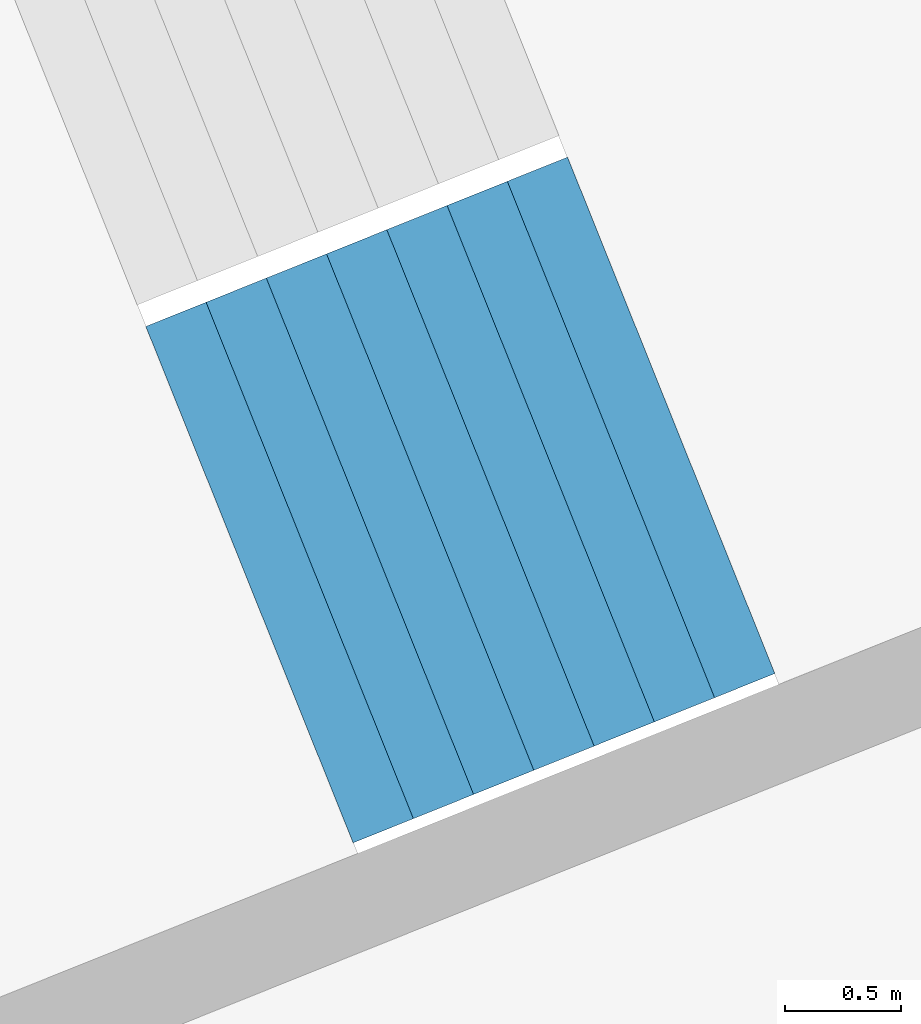
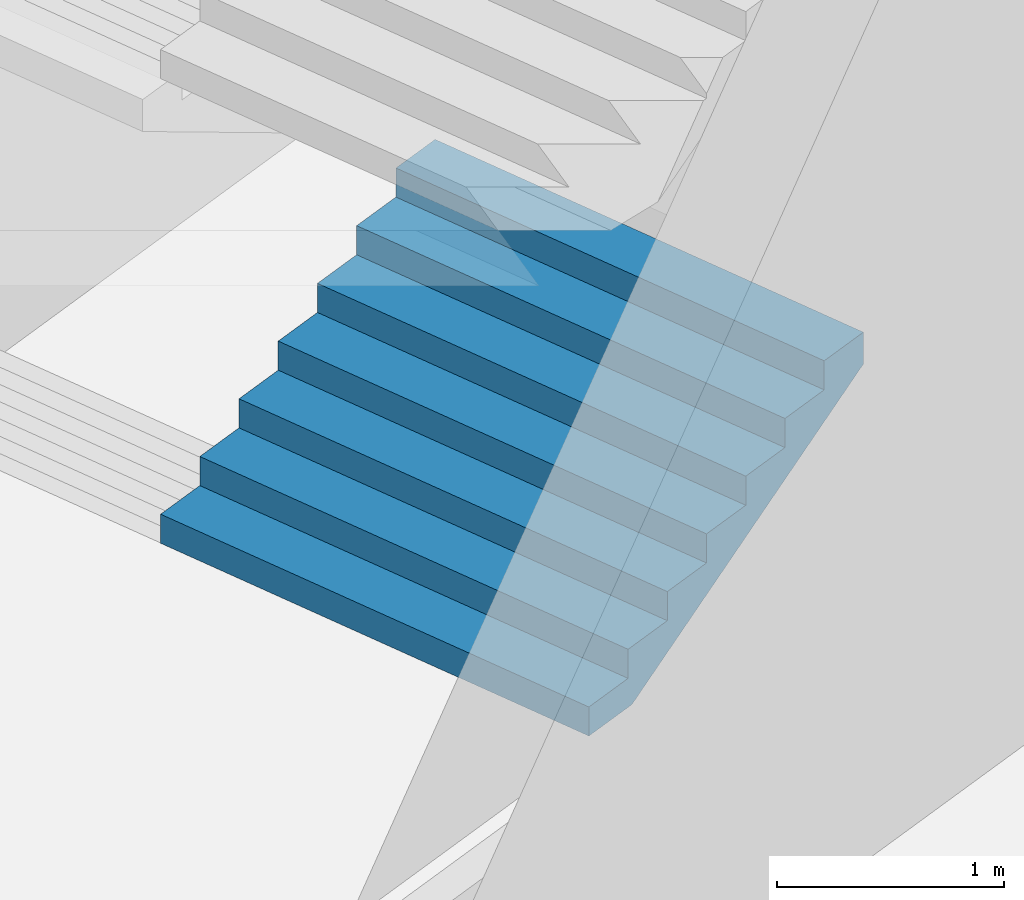
# One storey, part 19 of 73: 1 stair flight, 1 element without a shape of its own.
"""IFC4 building model written with IfcOpenShell, lengths in metres."""

from ifc_helpers import new_model, si_unit, direction, frame, origin, place, context, subcontext, project, spatial, triangles, material, type_object, element, aggregate, save


model = new_model("IFC4")

# Units and contexts
model_context = context("Model", 3, precision=1e-05, world=origin(), true_north=direction((0.0, 1.0)))
body_context = subcontext(model_context, "Body", "Model", "MODEL_VIEW")
ifc_project = project(units=[si_unit("LENGTHUNIT", "METRE"), si_unit("AREAUNIT", "SQUARE_METRE"), si_unit("VOLUMEUNIT", "CUBIC_METRE"), si_unit("PLANEANGLEUNIT", "RADIAN"), si_unit("MASSUNIT", "GRAM", prefix="KILO")], contexts=[model_context])

# Site, building, storey
site_placement = place(None, origin())
site = spatial("IfcSite", under=ifc_project, at=site_placement, CompositionType="ELEMENT")
building_placement = place(site_placement, origin())
building = spatial("IfcBuilding", under=site, at=building_placement, Name="Lantaw Convention Tower", CompositionType="ELEMENT")
storey_placement = place(building_placement, frame((0.0, 0.0, 22.0)))
storey = spatial("IfcBuildingStorey", under=building, at=storey_placement, Name="L03", CompositionType="ELEMENT", Elevation=22.0)

# Stair, stair flight
ifc_material = material(Name="Concrete C35/45", Category="concrete")
stair_type = type_object("IfcStairType", Name="Exit stair 2400 riser 156.25 in 4 flights", PredefinedType="HALF_TURN_STAIR", material=ifc_material)
stair_placement = place(storey_placement, origin())
stair = element("IfcStair", 1, at=stair_placement, inside=storey, type_object=stair_type, Name="Podium exit stair P11 L03", PredefinedType="HALF_TURN_STAIR")
stair_flight_type = type_object("IfcStairFlightType", Name="Stair flight 2400 riser 156.25", PredefinedType="STRAIGHT", material=ifc_material)
stair_flight_placement = place(storey_placement, frame((-30.9052734375, -13.753662109375, 1.25), z_axis=(0.0, 0.0, 1.0), x_axis=(0.928015168305, 0.372542410198, 0.0)))
stair_flight = element("IfcStairFlight", 2, at=stair_flight_placement, type_object=stair_flight_type, Name="P11 flight 2", NumberOfRisers=8, NumberOfTreads=7, PredefinedType="STRAIGHT", RiserHeight=0.15625, TreadLength=0.28, context=body_context, shape_type="Tessellation", body=[
    triangles([(0.0, 1.199951171875, 0.0), (0.0, 1.199951171875, 0.15625), (0.28, 1.199951171875, 0.0), (0.28, 1.199951171875, 0.15625), (0.28, 1.199951171875, 0.3125), (0.3076200632058044, 1.199951171875, 0.0), (0.3076200632058044, 1.199951171875, 0.3125), (0.56, 1.199951171875, 0.14083701830033238), (0.56, 1.199951171875, 0.3125), (0.56, 1.199951171875, 0.46875), (0.8400000000000001, 1.199951171875, 0.29708701830033235), (0.8400000000000001, 1.199951171875, 0.46875), (0.8400000000000001, 1.199951171875, 0.625), (1.12, 1.199951171875, 0.45333701830033235), (1.12, 1.199951171875, 0.625), (1.12, 1.199951171875, 0.78125), (1.4000000000000001, 1.199951171875, 0.6095870183003324), (1.4000000000000001, 1.199951171875, 0.78125), (1.4000000000000001, 1.199951171875, 0.9375), (1.6800000000000002, 1.199951171875, 0.7658370183003324), (1.6800000000000002, 1.199951171875, 0.9375), (1.6800000000000002, 1.199951171875, 1.09375), (1.9600000000000002, 1.199951171875, 0.9220870183003324), (1.9600000000000002, 1.199951171875, 1.09375), (0.0, -1.199951171875, 0.0), (0.0, -1.199951171875, 0.15625), (0.28, -1.199951171875, 0.0), (0.28, -1.199951171875, 0.15625), (0.28, -1.199951171875, 0.3125), (0.3076200632058044, -1.199951171875, 0.0), (0.3076200632058044, -1.199951171875, 0.3125), (0.56, -1.199951171875, 0.14083701830033238), (0.56, -1.199951171875, 0.3125), (0.56, -1.199951171875, 0.46875), (0.8400000000000001, -1.199951171875, 0.29708701830033235), (0.8400000000000001, -1.199951171875, 0.46875), (0.8400000000000001, -1.199951171875, 0.625), (1.12, -1.199951171875, 0.45333701830033235), (1.12, -1.199951171875, 0.625), (1.12, -1.199951171875, 0.78125), (1.4000000000000001, -1.199951171875, 0.6095870183003324), (1.4000000000000001, -1.199951171875, 0.78125), (1.4000000000000001, -1.199951171875, 0.9375), (1.6800000000000002, -1.199951171875, 0.7658370183003324), (1.6800000000000002, -1.199951171875, 0.9375), (1.6800000000000002, -1.199951171875, 1.09375), (1.9600000000000002, -1.199951171875, 0.9220870183003324), (1.9600000000000002, -1.199951171875, 1.09375), (0.0, 0.239990234375, 0.15625), (0.0, 0.239990234375, 0.0), (0.0, 0.1919921875, 0.15625), (0.0, 0.1919921875, 0.0), (0.0, 0.143994140625, 0.15625), (0.0, 0.143994140625, 0.0), (0.0, 0.09599609375, 0.15625), (0.0, 0.09599609375, 0.0), (0.0, 0.047998046875, 0.15625), (0.0, 0.047998046875, 0.0), (0.0, 0.0, 0.15625), (0.0, 0.0, 0.0), (0.0, -0.047998046875, 0.15625), (0.0, -0.047998046875, 0.0), (0.0, -0.09599609375, 0.15625), (0.0, -0.09599609375, 0.0), (0.0, -0.143994140625, 0.15625), (0.0, -0.143994140625, 0.0), (0.0, -0.1919921875, 0.15625), (0.0, -0.1919921875, 0.0), (0.0, -0.239990234375, 0.15625), (0.0, -0.239990234375, 0.0), (0.28, 0.239990234375, 0.3125), (0.28, 0.239990234375, 0.15625), (0.28, 0.1919921875, 0.3125), (0.28, 0.1919921875, 0.15625), (0.28, 0.143994140625, 0.3125), (0.28, 0.143994140625, 0.15625), (0.28, 0.09599609375, 0.3125), (0.28, 0.09599609375, 0.15625), (0.28, 0.047998046875, 0.3125), (0.28, 0.047998046875, 0.15625), (0.28, 0.0, 0.3125), (0.28, 0.0, 0.15625), (0.28, -0.047998046875, 0.3125), (0.28, -0.047998046875, 0.15625), (0.28, -0.09599609375, 0.3125), (0.28, -0.09599609375, 0.15625), (0.28, -0.143994140625, 0.3125), (0.28, -0.143994140625, 0.15625), (0.28, -0.1919921875, 0.3125), (0.28, -0.1919921875, 0.15625), (0.28, -0.239990234375, 0.3125), (0.28, -0.239990234375, 0.15625), (0.56, 0.239990234375, 0.46875), (0.56, 0.239990234375, 0.3125), (0.56, 0.1919921875, 0.46875), (0.56, 0.1919921875, 0.3125), (0.56, 0.143994140625, 0.46875), (0.56, 0.143994140625, 0.3125), (0.56, 0.09599609375, 0.46875), (0.56, 0.09599609375, 0.3125), (0.56, 0.047998046875, 0.46875), (0.56, 0.047998046875, 0.3125), (0.56, 0.0, 0.46875), (0.56, 0.0, 0.3125), (0.56, -0.047998046875, 0.46875), (0.56, -0.047998046875, 0.3125), (0.56, -0.09599609375, 0.46875), (0.56, -0.09599609375, 0.3125), (0.56, -0.143994140625, 0.46875), (0.56, -0.143994140625, 0.3125), (0.56, -0.1919921875, 0.46875), (0.56, -0.1919921875, 0.3125), (0.56, -0.239990234375, 0.46875), (0.56, -0.239990234375, 0.3125), (0.8400000000000001, 0.239990234375, 0.625), (0.8400000000000001, 0.239990234375, 0.46875), (0.8400000000000001, 0.1919921875, 0.625), (0.8400000000000001, 0.1919921875, 0.46875), (0.8400000000000001, 0.143994140625, 0.625), (0.8400000000000001, 0.143994140625, 0.46875), (0.8400000000000001, 0.09599609375, 0.625), (0.8400000000000001, 0.09599609375, 0.46875), (0.8400000000000001, 0.047998046875, 0.625), (0.8400000000000001, 0.047998046875, 0.46875), (0.8400000000000001, 0.0, 0.625), (0.8400000000000001, 0.0, 0.46875), (0.8400000000000001, -0.047998046875, 0.625), (0.8400000000000001, -0.047998046875, 0.46875), (0.8400000000000001, -0.09599609375, 0.625), (0.8400000000000001, -0.09599609375, 0.46875), (0.8400000000000001, -0.143994140625, 0.625), (0.8400000000000001, -0.143994140625, 0.46875), (0.8400000000000001, -0.1919921875, 0.625), (0.8400000000000001, -0.1919921875, 0.46875), (0.8400000000000001, -0.239990234375, 0.625), (0.8400000000000001, -0.239990234375, 0.46875), (1.12, 0.239990234375, 0.78125), (1.12, 0.239990234375, 0.625), (1.12, 0.1919921875, 0.78125), (1.12, 0.1919921875, 0.625), (1.12, 0.143994140625, 0.78125), (1.12, 0.143994140625, 0.625), (1.12, 0.09599609375, 0.78125), (1.12, 0.09599609375, 0.625), (1.12, 0.047998046875, 0.78125), (1.12, 0.047998046875, 0.625), (1.12, 0.0, 0.78125), (1.12, 0.0, 0.625), (1.12, -0.047998046875, 0.78125), (1.12, -0.047998046875, 0.625), (1.12, -0.09599609375, 0.78125), (1.12, -0.09599609375, 0.625), (1.12, -0.143994140625, 0.78125), (1.12, -0.143994140625, 0.625), (1.12, -0.1919921875, 0.78125), (1.12, -0.1919921875, 0.625), (1.12, -0.239990234375, 0.78125), (1.12, -0.239990234375, 0.625), (1.4000000000000001, 0.239990234375, 0.9375), (1.4000000000000001, 0.239990234375, 0.78125), (1.4000000000000001, 0.1919921875, 0.9375), (1.4000000000000001, 0.1919921875, 0.78125), (1.4000000000000001, 0.143994140625, 0.9375), (1.4000000000000001, 0.143994140625, 0.78125), (1.4000000000000001, 0.09599609375, 0.9375), (1.4000000000000001, 0.09599609375, 0.78125), (1.4000000000000001, 0.047998046875, 0.9375), (1.4000000000000001, 0.047998046875, 0.78125), (1.4000000000000001, 0.0, 0.9375), (1.4000000000000001, 0.0, 0.78125), (1.4000000000000001, -0.047998046875, 0.9375), (1.4000000000000001, -0.047998046875, 0.78125), (1.4000000000000001, -0.09599609375, 0.9375), (1.4000000000000001, -0.09599609375, 0.78125), (1.4000000000000001, -0.143994140625, 0.9375), (1.4000000000000001, -0.143994140625, 0.78125), (1.4000000000000001, -0.1919921875, 0.9375), (1.4000000000000001, -0.1919921875, 0.78125), (1.4000000000000001, -0.239990234375, 0.9375), (1.4000000000000001, -0.239990234375, 0.78125), (1.6800000000000002, 0.239990234375, 1.09375), (1.6800000000000002, 0.239990234375, 0.9375), (1.6800000000000002, 0.1919921875, 1.09375), (1.6800000000000002, 0.1919921875, 0.9375), (1.6800000000000002, 0.143994140625, 1.09375), (1.6800000000000002, 0.143994140625, 0.9375), (1.6800000000000002, 0.09599609375, 1.09375), (1.6800000000000002, 0.09599609375, 0.9375), (1.6800000000000002, 0.047998046875, 1.09375), (1.6800000000000002, 0.047998046875, 0.9375), (1.6800000000000002, 0.0, 1.09375), (1.6800000000000002, 0.0, 0.9375), (1.6800000000000002, -0.047998046875, 1.09375), (1.6800000000000002, -0.047998046875, 0.9375), (1.6800000000000002, -0.09599609375, 1.09375), (1.6800000000000002, -0.09599609375, 0.9375), (1.6800000000000002, -0.143994140625, 1.09375), (1.6800000000000002, -0.143994140625, 0.9375), (1.6800000000000002, -0.1919921875, 1.09375), (1.6800000000000002, -0.1919921875, 0.9375), (1.6800000000000002, -0.239990234375, 1.09375), (1.6800000000000002, -0.239990234375, 0.9375), (0.3076200632058044, 0.239990234375, 0.3125), (0.3076200632058044, 0.1919921875, 0.3125), (0.3076200632058044, 0.143994140625, 0.3125), (0.3076200632058044, 0.09599609375, 0.3125), (0.3076200632058044, 0.047998046875, 0.3125), (0.3076200632058044, 0.0, 0.3125), (0.3076200632058044, -0.047998046875, 0.3125), (0.3076200632058044, -0.09599609375, 0.3125), (0.3076200632058044, -0.143994140625, 0.3125), (0.3076200632058044, -0.1919921875, 0.3125), (0.3076200632058044, -0.239990234375, 0.3125), (1.9600000000000002, 0.239990234375, 1.09375), (1.9600000000000002, 0.1919921875, 1.09375), (1.9600000000000002, 0.143994140625, 1.09375), (1.9600000000000002, 0.09599609375, 1.09375), (1.9600000000000002, 0.047998046875, 1.09375), (1.9600000000000002, 0.0, 1.09375), (1.9600000000000002, -0.047998046875, 1.09375), (1.9600000000000002, -0.09599609375, 1.09375), (1.9600000000000002, -0.143994140625, 1.09375), (1.9600000000000002, -0.1919921875, 1.09375), (1.9600000000000002, -0.239990234375, 1.09375), (1.9600000000000002, 0.239990234375, 0.9220870183003324), (1.9600000000000002, 0.1919921875, 0.9220870183003324), (1.9600000000000002, 0.143994140625, 0.9220870183003324), (1.9600000000000002, 0.09599609375, 0.9220870183003324), (1.9600000000000002, 0.047998046875, 0.9220870183003324), (1.9600000000000002, 0.0, 0.9220870183003324), (1.9600000000000002, -0.047998046875, 0.9220870183003324), (1.9600000000000002, -0.09599609375, 0.9220870183003324), (1.9600000000000002, -0.143994140625, 0.9220870183003324), (1.9600000000000002, -0.1919921875, 0.9220870183003324), (1.9600000000000002, -0.239990234375, 0.9220870183003324), (1.6800000000000002, 0.239990234375, 0.7658370183003324), (1.6800000000000002, 0.1919921875, 0.7658370183003324), (1.6800000000000002, 0.143994140625, 0.7658370183003324), (1.6800000000000002, 0.09599609375, 0.7658370183003324), (1.6800000000000002, 0.047998046875, 0.7658370183003324), (1.6800000000000002, 0.0, 0.7658370183003324), (1.6800000000000002, -0.047998046875, 0.7658370183003324), (1.6800000000000002, -0.09599609375, 0.7658370183003324), (1.6800000000000002, -0.143994140625, 0.7658370183003324), (1.6800000000000002, -0.1919921875, 0.7658370183003324), (1.6800000000000002, -0.239990234375, 0.7658370183003324), (1.4000000000000001, 0.239990234375, 0.6095870183003324), (1.4000000000000001, 0.1919921875, 0.6095870183003324), (1.4000000000000001, 0.143994140625, 0.6095870183003324), (1.4000000000000001, 0.09599609375, 0.6095870183003324), (1.4000000000000001, 0.047998046875, 0.6095870183003324), (1.4000000000000001, 0.0, 0.6095870183003324), (1.4000000000000001, -0.047998046875, 0.6095870183003324), (1.4000000000000001, -0.09599609375, 0.6095870183003324), (1.4000000000000001, -0.143994140625, 0.6095870183003324), (1.4000000000000001, -0.1919921875, 0.6095870183003324), (1.4000000000000001, -0.239990234375, 0.6095870183003324), (1.12, 0.239990234375, 0.45333701830033235), (1.12, 0.1919921875, 0.45333701830033235), (1.12, 0.143994140625, 0.45333701830033235), (1.12, 0.09599609375, 0.45333701830033235), (1.12, 0.047998046875, 0.45333701830033235), (1.12, 0.0, 0.45333701830033235), (1.12, -0.047998046875, 0.45333701830033235), (1.12, -0.09599609375, 0.45333701830033235), (1.12, -0.143994140625, 0.45333701830033235), (1.12, -0.1919921875, 0.45333701830033235), (1.12, -0.239990234375, 0.45333701830033235), (0.8400000000000001, 0.239990234375, 0.29708701830033235), (0.8400000000000001, 0.1919921875, 0.29708701830033235), (0.8400000000000001, 0.143994140625, 0.29708701830033235), (0.8400000000000001, 0.09599609375, 0.29708701830033235), (0.8400000000000001, 0.047998046875, 0.29708701830033235), (0.8400000000000001, 0.0, 0.29708701830033235), (0.8400000000000001, -0.047998046875, 0.29708701830033235), (0.8400000000000001, -0.09599609375, 0.29708701830033235), (0.8400000000000001, -0.143994140625, 0.29708701830033235), (0.8400000000000001, -0.1919921875, 0.29708701830033235), (0.8400000000000001, -0.239990234375, 0.29708701830033235), (0.56, 0.239990234375, 0.14083701830033238), (0.56, 0.1919921875, 0.14083701830033238), (0.56, 0.143994140625, 0.14083701830033238), (0.56, 0.09599609375, 0.14083701830033238), (0.56, 0.047998046875, 0.14083701830033238), (0.56, 0.0, 0.14083701830033238), (0.56, -0.047998046875, 0.14083701830033238), (0.56, -0.09599609375, 0.14083701830033238), (0.56, -0.143994140625, 0.14083701830033238), (0.56, -0.1919921875, 0.14083701830033238), (0.56, -0.239990234375, 0.14083701830033238), (0.3076200632058044, 0.239990234375, 0.0), (0.3076200632058044, 0.1919921875, 0.0), (0.3076200632058044, 0.143994140625, 0.0), (0.3076200632058044, 0.09599609375, 0.0), (0.3076200632058044, 0.047998046875, 0.0), (0.3076200632058044, 0.0, 0.0), (0.3076200632058044, -0.047998046875, 0.0), (0.3076200632058044, -0.09599609375, 0.0), (0.3076200632058044, -0.143994140625, 0.0), (0.3076200632058044, -0.1919921875, 0.0), (0.3076200632058044, -0.239990234375, 0.0), (0.28, 0.239990234375, 0.0), (0.28, 0.1919921875, 0.0), (0.28, 0.143994140625, 0.0), (0.28, 0.09599609375, 0.0), (0.28, 0.047998046875, 0.0), (0.28, 0.0, 0.0), (0.28, -0.047998046875, 0.0), (0.28, -0.09599609375, 0.0), (0.28, -0.143994140625, 0.0), (0.28, -0.1919921875, 0.0), (0.28, -0.239990234375, 0.0)], [[1, 4, 3], [1, 2, 4], [3, 4, 6], [4, 7, 6], [4, 5, 7], [6, 9, 8], [6, 7, 9], [8, 9, 11], [9, 12, 11], [9, 10, 12], [11, 12, 14], [12, 15, 14], [12, 13, 15], [14, 15, 17], [15, 18, 17], [15, 16, 18], [17, 18, 20], [18, 21, 20], [18, 19, 21], [20, 21, 23], [21, 24, 23], [21, 22, 24], [25, 27, 28], [25, 28, 26], [27, 30, 28], [28, 30, 31], [28, 31, 29], [30, 32, 33], [30, 33, 31], [32, 35, 33], [33, 35, 36], [33, 36, 34], [35, 38, 36], [36, 38, 39], [36, 39, 37], [38, 41, 39], [39, 41, 42], [39, 42, 40], [41, 44, 42], [42, 44, 45], [42, 45, 43], [44, 47, 45], [45, 47, 48], [45, 48, 46], [1, 49, 2], [1, 50, 49], [50, 51, 49], [50, 52, 51], [52, 53, 51], [52, 54, 53], [54, 55, 53], [54, 56, 55], [56, 57, 55], [56, 58, 57], [58, 59, 57], [58, 60, 59], [60, 61, 59], [60, 62, 61], [62, 63, 61], [62, 64, 63], [64, 65, 63], [64, 66, 65], [66, 67, 65], [66, 68, 67], [68, 69, 67], [68, 70, 69], [70, 26, 69], [70, 25, 26], [4, 71, 5], [4, 72, 71], [72, 73, 71], [72, 74, 73], [74, 75, 73], [74, 76, 75], [76, 77, 75], [76, 78, 77], [78, 79, 77], [78, 80, 79], [80, 81, 79], [80, 82, 81], [82, 83, 81], [82, 84, 83], [84, 85, 83], [84, 86, 85], [86, 87, 85], [86, 88, 87], [88, 89, 87], [88, 90, 89], [90, 91, 89], [90, 92, 91], [92, 29, 91], [92, 28, 29], [9, 93, 10], [9, 94, 93], [94, 95, 93], [94, 96, 95], [96, 97, 95], [96, 98, 97], [98, 99, 97], [98, 100, 99], [100, 101, 99], [100, 102, 101], [102, 103, 101], [102, 104, 103], [104, 105, 103], [104, 106, 105], [106, 107, 105], [106, 108, 107], [108, 109, 107], [108, 110, 109], [110, 111, 109], [110, 112, 111], [112, 113, 111], [112, 114, 113], [114, 34, 113], [114, 33, 34], [12, 115, 13], [12, 116, 115], [116, 117, 115], [116, 118, 117], [118, 119, 117], [118, 120, 119], [120, 121, 119], [120, 122, 121], [122, 123, 121], [122, 124, 123], [124, 125, 123], [124, 126, 125], [126, 127, 125], [126, 128, 127], [128, 129, 127], [128, 130, 129], [130, 131, 129], [130, 132, 131], [132, 133, 131], [132, 134, 133], [134, 135, 133], [134, 136, 135], [136, 37, 135], [136, 36, 37], [15, 137, 16], [15, 138, 137], [138, 139, 137], [138, 140, 139], [140, 141, 139], [140, 142, 141], [142, 143, 141], [142, 144, 143], [144, 145, 143], [144, 146, 145], [146, 147, 145], [146, 148, 147], [148, 149, 147], [148, 150, 149], [150, 151, 149], [150, 152, 151], [152, 153, 151], [152, 154, 153], [154, 155, 153], [154, 156, 155], [156, 157, 155], [156, 158, 157], [158, 40, 157], [158, 39, 40], [18, 159, 19], [18, 160, 159], [160, 161, 159], [160, 162, 161], [162, 163, 161], [162, 164, 163], [164, 165, 163], [164, 166, 165], [166, 167, 165], [166, 168, 167], [168, 169, 167], [168, 170, 169], [170, 171, 169], [170, 172, 171], [172, 173, 171], [172, 174, 173], [174, 175, 173], [174, 176, 175], [176, 177, 175], [176, 178, 177], [178, 179, 177], [178, 180, 179], [180, 43, 179], [180, 42, 43], [21, 181, 22], [21, 182, 181], [182, 183, 181], [182, 184, 183], [184, 185, 183], [184, 186, 185], [186, 187, 185], [186, 188, 187], [188, 189, 187], [188, 190, 189], [190, 191, 189], [190, 192, 191], [192, 193, 191], [192, 194, 193], [194, 195, 193], [194, 196, 195], [196, 197, 195], [196, 198, 197], [198, 199, 197], [198, 200, 199], [200, 201, 199], [200, 202, 201], [202, 46, 201], [202, 45, 46], [2, 72, 4], [2, 49, 72], [49, 74, 72], [49, 51, 74], [51, 76, 74], [51, 53, 76], [53, 78, 76], [53, 55, 78], [55, 80, 78], [55, 57, 80], [57, 82, 80], [57, 59, 82], [59, 84, 82], [59, 61, 84], [61, 86, 84], [61, 63, 86], [63, 88, 86], [63, 65, 88], [65, 90, 88], [65, 67, 90], [67, 92, 90], [67, 69, 92], [69, 28, 92], [69, 26, 28], [5, 203, 7], [5, 71, 203], [71, 204, 203], [71, 73, 204], [73, 205, 204], [73, 75, 205], [75, 206, 205], [75, 77, 206], [77, 207, 206], [77, 79, 207], [79, 208, 207], [79, 81, 208], [81, 209, 208], [81, 83, 209], [83, 210, 209], [83, 85, 210], [85, 211, 210], [85, 87, 211], [87, 212, 211], [87, 89, 212], [89, 213, 212], [89, 91, 213], [91, 31, 213], [91, 29, 31], [7, 94, 9], [7, 203, 94], [203, 96, 94], [203, 204, 96], [204, 98, 96], [204, 205, 98], [205, 100, 98], [205, 206, 100], [206, 102, 100], [206, 207, 102], [207, 104, 102], [207, 208, 104], [208, 106, 104], [208, 209, 106], [209, 108, 106], [209, 210, 108], [210, 110, 108], [210, 211, 110], [211, 112, 110], [211, 212, 112], [212, 114, 112], [212, 213, 114], [213, 33, 114], [213, 31, 33], [10, 116, 12], [10, 93, 116], [93, 118, 116], [93, 95, 118], [95, 120, 118], [95, 97, 120], [97, 122, 120], [97, 99, 122], [99, 124, 122], [99, 101, 124], [101, 126, 124], [101, 103, 126], [103, 128, 126], [103, 105, 128], [105, 130, 128], [105, 107, 130], [107, 132, 130], [107, 109, 132], [109, 134, 132], [109, 111, 134], [111, 136, 134], [111, 113, 136], [113, 36, 136], [113, 34, 36], [13, 138, 15], [13, 115, 138], [115, 140, 138], [115, 117, 140], [117, 142, 140], [117, 119, 142], [119, 144, 142], [119, 121, 144], [121, 146, 144], [121, 123, 146], [123, 148, 146], [123, 125, 148], [125, 150, 148], [125, 127, 150], [127, 152, 150], [127, 129, 152], [129, 154, 152], [129, 131, 154], [131, 156, 154], [131, 133, 156], [133, 158, 156], [133, 135, 158], [135, 39, 158], [135, 37, 39], [16, 160, 18], [16, 137, 160], [137, 162, 160], [137, 139, 162], [139, 164, 162], [139, 141, 164], [141, 166, 164], [141, 143, 166], [143, 168, 166], [143, 145, 168], [145, 170, 168], [145, 147, 170], [147, 172, 170], [147, 149, 172], [149, 174, 172], [149, 151, 174], [151, 176, 174], [151, 153, 176], [153, 178, 176], [153, 155, 178], [155, 180, 178], [155, 157, 180], [157, 42, 180], [157, 40, 42], [19, 182, 21], [19, 159, 182], [159, 184, 182], [159, 161, 184], [161, 186, 184], [161, 163, 186], [163, 188, 186], [163, 165, 188], [165, 190, 188], [165, 167, 190], [167, 192, 190], [167, 169, 192], [169, 194, 192], [169, 171, 194], [171, 196, 194], [171, 173, 196], [173, 198, 196], [173, 175, 198], [175, 200, 198], [175, 177, 200], [177, 202, 200], [177, 179, 202], [179, 45, 202], [179, 43, 45], [22, 214, 24], [22, 181, 214], [181, 215, 214], [181, 183, 215], [183, 216, 215], [183, 185, 216], [185, 217, 216], [185, 187, 217], [187, 218, 217], [187, 189, 218], [189, 219, 218], [189, 191, 219], [191, 220, 219], [191, 193, 220], [193, 221, 220], [193, 195, 221], [195, 222, 221], [195, 197, 222], [197, 223, 222], [197, 199, 223], [199, 224, 223], [199, 201, 224], [201, 48, 224], [201, 46, 48], [24, 225, 23], [24, 214, 225], [214, 226, 225], [214, 215, 226], [215, 227, 226], [215, 216, 227], [216, 228, 227], [216, 217, 228], [217, 229, 228], [217, 218, 229], [218, 230, 229], [218, 219, 230], [219, 231, 230], [219, 220, 231], [220, 232, 231], [220, 221, 232], [221, 233, 232], [221, 222, 233], [222, 234, 233], [222, 223, 234], [223, 235, 234], [223, 224, 235], [224, 47, 235], [224, 48, 47], [23, 236, 20], [23, 225, 236], [225, 237, 236], [225, 226, 237], [226, 238, 237], [226, 227, 238], [227, 239, 238], [227, 228, 239], [228, 240, 239], [228, 229, 240], [229, 241, 240], [229, 230, 241], [230, 242, 241], [230, 231, 242], [231, 243, 242], [231, 232, 243], [232, 244, 243], [232, 233, 244], [233, 245, 244], [233, 234, 245], [234, 246, 245], [234, 235, 246], [235, 44, 246], [235, 47, 44], [20, 247, 17], [20, 236, 247], [236, 248, 247], [236, 237, 248], [237, 249, 248], [237, 238, 249], [238, 250, 249], [238, 239, 250], [239, 251, 250], [239, 240, 251], [240, 252, 251], [240, 241, 252], [241, 253, 252], [241, 242, 253], [242, 254, 253], [242, 243, 254], [243, 255, 254], [243, 244, 255], [244, 256, 255], [244, 245, 256], [245, 257, 256], [245, 246, 257], [246, 41, 257], [246, 44, 41], [17, 258, 14], [17, 247, 258], [247, 259, 258], [247, 248, 259], [248, 260, 259], [248, 249, 260], [249, 261, 260], [249, 250, 261], [250, 262, 261], [250, 251, 262], [251, 263, 262], [251, 252, 263], [252, 264, 263], [252, 253, 264], [253, 265, 264], [253, 254, 265], [254, 266, 265], [254, 255, 266], [255, 267, 266], [255, 256, 267], [256, 268, 267], [256, 257, 268], [257, 38, 268], [257, 41, 38], [14, 269, 11], [14, 258, 269], [258, 270, 269], [258, 259, 270], [259, 271, 270], [259, 260, 271], [260, 272, 271], [260, 261, 272], [261, 273, 272], [261, 262, 273], [262, 274, 273], [262, 263, 274], [263, 275, 274], [263, 264, 275], [264, 276, 275], [264, 265, 276], [265, 277, 276], [265, 266, 277], [266, 278, 277], [266, 267, 278], [267, 279, 278], [267, 268, 279], [268, 35, 279], [268, 38, 35], [11, 280, 8], [11, 269, 280], [269, 281, 280], [269, 270, 281], [270, 282, 281], [270, 271, 282], [271, 283, 282], [271, 272, 283], [272, 284, 283], [272, 273, 284], [273, 285, 284], [273, 274, 285], [274, 286, 285], [274, 275, 286], [275, 287, 286], [275, 276, 287], [276, 288, 287], [276, 277, 288], [277, 289, 288], [277, 278, 289], [278, 290, 289], [278, 279, 290], [279, 32, 290], [279, 35, 32], [8, 291, 6], [8, 280, 291], [280, 292, 291], [280, 281, 292], [281, 293, 292], [281, 282, 293], [282, 294, 293], [282, 283, 294], [283, 295, 294], [283, 284, 295], [284, 296, 295], [284, 285, 296], [285, 297, 296], [285, 286, 297], [286, 298, 297], [286, 287, 298], [287, 299, 298], [287, 288, 299], [288, 300, 299], [288, 289, 300], [289, 301, 300], [289, 290, 301], [290, 30, 301], [290, 32, 30], [6, 302, 3], [6, 291, 302], [291, 303, 302], [291, 292, 303], [292, 304, 303], [292, 293, 304], [293, 305, 304], [293, 294, 305], [294, 306, 305], [294, 295, 306], [295, 307, 306], [295, 296, 307], [296, 308, 307], [296, 297, 308], [297, 309, 308], [297, 298, 309], [298, 310, 309], [298, 299, 310], [299, 311, 310], [299, 300, 311], [300, 312, 311], [300, 301, 312], [301, 27, 312], [301, 30, 27], [3, 50, 1], [3, 302, 50], [302, 52, 50], [302, 303, 52], [303, 54, 52], [303, 304, 54], [304, 56, 54], [304, 305, 56], [305, 58, 56], [305, 306, 58], [306, 60, 58], [306, 307, 60], [307, 62, 60], [307, 308, 62], [308, 64, 62], [308, 309, 64], [309, 66, 64], [309, 310, 66], [310, 68, 66], [310, 311, 68], [311, 70, 68], [311, 312, 70], [312, 25, 70], [312, 27, 25]], closed=True),
])
aggregate(stair, [stair_flight])

save(model, "model.ifc")
